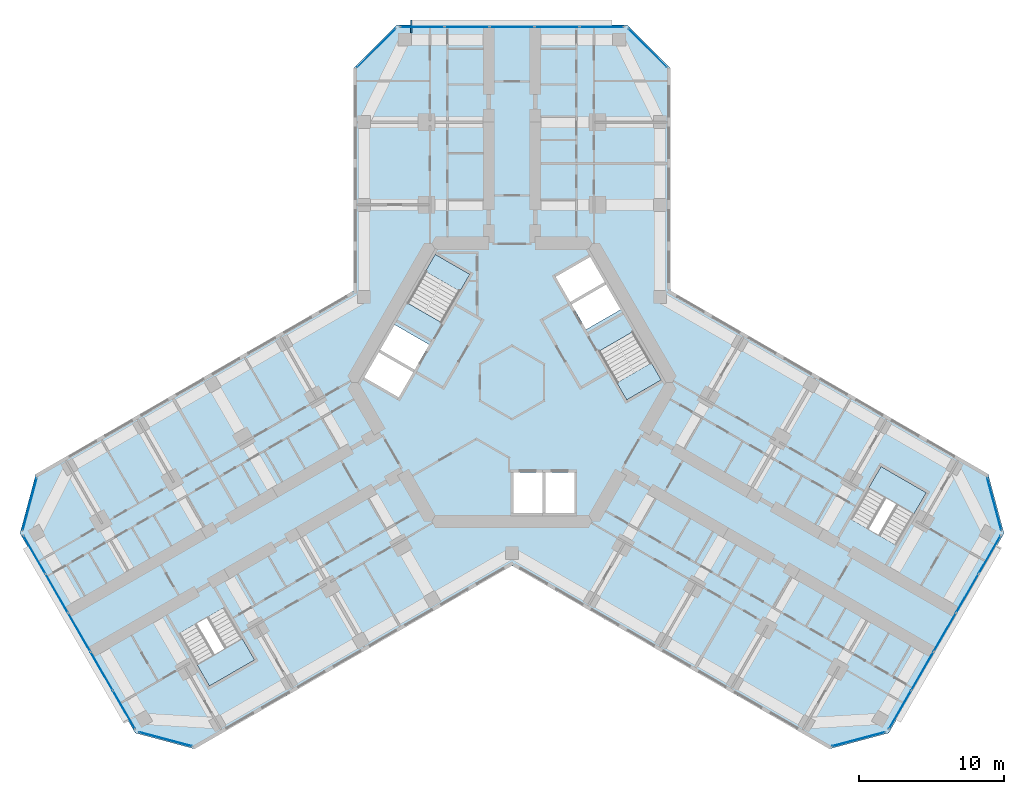
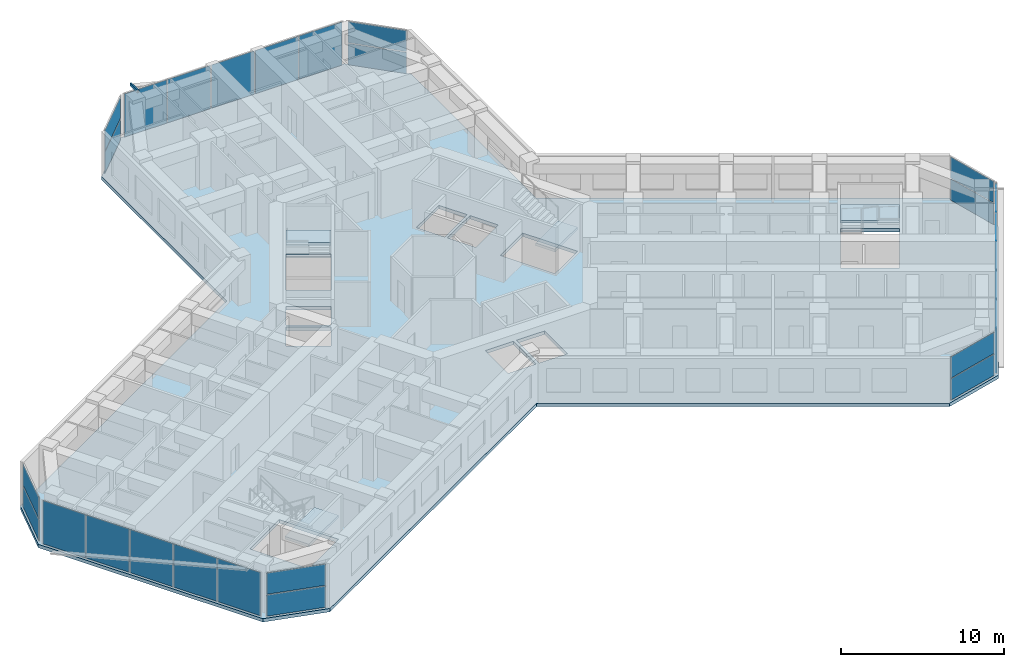
# One storey, part 9 of 20: 27 plates, 5 slabs, 1 member, 13 elements without a shape of their own.
"""IFC4 building model written with IfcOpenShell, lengths in metres."""

from ifc_helpers import new_model, si_unit, direction, frame, origin, origin_2d, place, context, subcontext, project, spatial, polyline, rectangle, hollow_rectangle, outline, extrude, material, layer, layer_set, material_profile, profile_set, type_object, element, aggregate, save


model = new_model("IFC4")

# Units and contexts
model_context = context("Model", 3, precision=1e-05, world=origin(), true_north=direction((0.0, 1.0)))
body_context = subcontext(model_context, "Body", "Model", "MODEL_VIEW")
ifc_project = project(units=[si_unit("LENGTHUNIT", "METRE"), si_unit("AREAUNIT", "SQUARE_METRE"), si_unit("VOLUMEUNIT", "CUBIC_METRE"), si_unit("PLANEANGLEUNIT", "RADIAN"), si_unit("MASSUNIT", "GRAM", prefix="KILO")], contexts=[model_context])

# Site, building, storey
site_placement = place(None, origin())
site = spatial("IfcSite", under=ifc_project, at=site_placement, CompositionType="ELEMENT")
building_placement = place(site_placement, origin())
building = spatial("IfcBuilding", under=site, at=building_placement, Name="Kosmar Iwan School Tower", CompositionType="ELEMENT")
storey_placement = place(building_placement, frame((0.0, 0.0, 131.0)))
storey = spatial("IfcBuildingStorey", under=building, at=storey_placement, Name="L32", CompositionType="ELEMENT", Elevation=131.0)

# Member
ifc_material_1 = material(Name="Steel S355", Category="steel")
ifc_material_profile = material_profile(ifc_material_1, hollow_rectangle(XDim=0.10009765625, YDim=0.199951171875, WallThickness=0.008056640625, at=origin_2d()), Name="RHS 200x100x8")
ifc_profile_set = profile_set([ifc_material_profile], Name="Steel S355")
member_type = type_object("IfcMemberType", Name="Fin bracket RHS 200x100", PredefinedType="USERDEFINED", material=ifc_profile_set)
member_placement = place(storey_placement, frame((-6.949951171875, 24.10009765625, 3.47509765625), z_axis=(0.0, 1.0, 0.0), x_axis=(-1.0, 0.0, 0.0)))
element("IfcMember", 1, at=member_placement, inside=storey, type_object=member_type, Name="Fin bracket L33", ObjectType="FIN BRACKET", PredefinedType="USERDEFINED", context=body_context, shape_type="SweptSolid", body=[
    extrude(hollow_rectangle(XDim=0.10009765625, YDim=0.199951171875, WallThickness=0.008056640625, at=origin_2d()), origin(), (0.0, 0.0, 1.0), 0.89990234375),
])

# Curtain wall, plates
ifc_material_2 = material(Name="Dark glass in black aluminium frame", Category="aluminium")
curtain_wall_type_1 = type_object("IfcCurtainWallType", Name="Chamfer curtain wall dark glass", PredefinedType="USERDEFINED", material=ifc_material_2)
curtain_wall_1_placement = place(storey_placement, origin())
curtain_wall_1 = element("IfcCurtainWall", 2, at=curtain_wall_1_placement, inside=storey, type_object=curtain_wall_type_1, Name="Curtain wall L32-F02", ObjectType="FACETED CURTAIN WALL", PredefinedType="USERDEFINED")
ifc_material_3 = material(Name="Dark glass", Category="glass")
ifc_layer_1 = layer(ifc_material_3, 0.028076171875)
ifc_layer_set_1 = layer_set([ifc_layer_1], Name="Dark glass panel 28")
plate_type = type_object("IfcPlateType", Name="Dark glass panel 28", PredefinedType="CURTAIN_PANEL", material=ifc_layer_set_1)
plate_1_placement = place(storey_placement, frame((23.908203125, -24.61328125, 0.06005859375), z_axis=(0.0, 0.0, 1.0), x_axis=(0.965925875495, 0.258818861462, 0.0)))
plate_1 = element("IfcPlate", 3, at=plate_1_placement, type_object=plate_type, Name="CW2 panel 1.1", PredefinedType="CURTAIN_PANEL", context=body_context, shape_type="SweptSolid", body=[
    extrude(rectangle(XDim=3.718994140625, YDim=0.028076171875, at=origin_2d()), origin(), (0.0, 0.0, 1.0), 1.5849609375),
])
plate_2_placement = place(storey_placement, frame((23.908203125, -24.61328125, 1.705078125), z_axis=(0.0, 0.0, 1.0), x_axis=(0.965925875495, 0.258818861462, 0.0)))
plate_2 = element("IfcPlate", 4, at=plate_2_placement, type_object=plate_type, Name="CW2 panel 1.2", PredefinedType="CURTAIN_PANEL", context=body_context, shape_type="SweptSolid", body=[
    extrude(rectangle(XDim=3.718994140625, YDim=0.028076171875, at=origin_2d()), origin(), (0.0, 0.0, 1.0), 1.5849609375),
])
aggregate(curtain_wall_1, [plate_1, plate_2])

ifc_material_4 = material(Name="Dark glass in black aluminium frame", Category="aluminium")
curtain_wall_type_2 = type_object("IfcCurtainWallType", Name="Tower curtain wall dark glass", PredefinedType="USERDEFINED", material=ifc_material_4)
curtain_wall_2_placement = place(storey_placement, origin())
curtain_wall_2 = element("IfcCurtainWall", 5, at=curtain_wall_2_placement, inside=storey, type_object=curtain_wall_type_2, Name="Curtain wall L32-F03", ObjectType="UNITISED CURTAIN WALL", PredefinedType="USERDEFINED")
plate_3_placement = place(storey_placement, frame((26.764404296875, -22.592529296875, 0.06005859375), z_axis=(0.0, 0.0, 1.0), x_axis=(0.499999997325, 0.866025405329, 0.0)))
plate_3 = element("IfcPlate", 6, at=plate_3_placement, type_object=plate_type, Name="CW1 panel 1.1", PredefinedType="CURTAIN_PANEL", context=body_context, shape_type="SweptSolid", body=[
    extrude(rectangle(XDim=3.00927734375, YDim=0.028076171875, at=origin_2d()), origin(), (0.0, 0.0, 1.0), 3.22998046875),
])
plate_4_placement = place(storey_placement, frame((28.306640625, -19.921630859375, 0.06005859375), z_axis=(0.0, 0.0, 1.0), x_axis=(0.499999997325, 0.866025405329, 0.0)))
plate_4 = element("IfcPlate", 7, at=plate_4_placement, type_object=plate_type, Name="CW1 panel 2.1", PredefinedType="CURTAIN_PANEL", context=body_context, shape_type="SweptSolid", body=[
    extrude(rectangle(XDim=3.039306640625, YDim=0.028076171875, at=origin_2d()), origin(), (0.0, 0.0, 1.0), 3.22998046875),
])
plate_5_placement = place(storey_placement, frame((29.856201171875, -17.237548828125, 0.06005859375), z_axis=(0.0, 0.0, 1.0), x_axis=(0.499999997325, 0.866025405329, 0.0)))
plate_5 = element("IfcPlate", 8, at=plate_5_placement, type_object=plate_type, Name="CW1 panel 3.1", PredefinedType="CURTAIN_PANEL", context=body_context, shape_type="SweptSolid", body=[
    extrude(rectangle(XDim=3.039306640625, YDim=0.028076171875, at=origin_2d()), origin(), (0.0, 0.0, 1.0), 3.22998046875),
])
plate_6_placement = place(storey_placement, frame((31.40576171875, -14.553466796875, 0.06005859375), z_axis=(0.0, 0.0, 1.0), x_axis=(0.499999997325, 0.866025405329, 0.0)))
plate_6 = element("IfcPlate", 9, at=plate_6_placement, type_object=plate_type, Name="CW1 panel 4.1", PredefinedType="CURTAIN_PANEL", context=body_context, shape_type="SweptSolid", body=[
    extrude(rectangle(XDim=3.039306640625, YDim=0.028076171875, at=origin_2d()), origin(), (0.0, 0.0, 1.0), 3.22998046875),
])
plate_7_placement = place(storey_placement, frame((32.947998046875, -11.88232421875, 0.06005859375), z_axis=(0.0, 0.0, 1.0), x_axis=(0.499999997325, 0.866025405329, 0.0)))
plate_7 = element("IfcPlate", 10, at=plate_7_placement, type_object=plate_type, Name="CW1 panel 5.1", PredefinedType="CURTAIN_PANEL", context=body_context, shape_type="SweptSolid", body=[
    extrude(rectangle(XDim=3.00927734375, YDim=0.028076171875, at=origin_2d()), origin(), (0.0, 0.0, 1.0), 3.22998046875),
])
aggregate(curtain_wall_2, [plate_3, plate_4, plate_5, plate_6, plate_7])

curtain_wall_3_placement = place(storey_placement, origin())
curtain_wall_3 = element("IfcCurtainWall", 11, at=curtain_wall_3_placement, inside=storey, type_object=curtain_wall_type_1, Name="Curtain wall L32-F04", ObjectType="FACETED CURTAIN WALL", PredefinedType="USERDEFINED")
plate_8_placement = place(storey_placement, frame((33.269775390625, -8.3984375, 0.06005859375), z_axis=(0.0, 0.0, 1.0), x_axis=(-0.258818861462, 0.965925875495, 0.0)))
plate_8 = element("IfcPlate", 12, at=plate_8_placement, type_object=plate_type, Name="CW2 panel 1.1", PredefinedType="CURTAIN_PANEL", context=body_context, shape_type="SweptSolid", body=[
    extrude(rectangle(XDim=3.718994140625, YDim=0.028076171875, at=origin_2d()), origin(), (0.0, 0.0, 1.0), 1.5849609375),
])
plate_9_placement = place(storey_placement, frame((33.269775390625, -8.3984375, 1.705078125), z_axis=(0.0, 0.0, 1.0), x_axis=(-0.258818861462, 0.965925875495, 0.0)))
plate_9 = element("IfcPlate", 13, at=plate_9_placement, type_object=plate_type, Name="CW2 panel 1.2", PredefinedType="CURTAIN_PANEL", context=body_context, shape_type="SweptSolid", body=[
    extrude(rectangle(XDim=3.718994140625, YDim=0.028076171875, at=origin_2d()), origin(), (0.0, 0.0, 1.0), 1.5849609375),
])
aggregate(curtain_wall_3, [plate_8, plate_9])

curtain_wall_4_placement = place(storey_placement, origin())
curtain_wall_4 = element("IfcCurtainWall", 14, at=curtain_wall_4_placement, inside=storey, type_object=curtain_wall_type_1, Name="Curtain wall L32-F07", ObjectType="FACETED CURTAIN WALL", PredefinedType="USERDEFINED")
plate_10_placement = place(storey_placement, frame((9.361572265625, 23.0615234375, 0.06005859375), z_axis=(0.0, 0.0, 1.0), x_axis=(-0.707106781187, 0.707106781187, 0.0)))
plate_10 = element("IfcPlate", 15, at=plate_10_placement, type_object=plate_type, Name="CW2 panel 1.1", PredefinedType="CURTAIN_PANEL", context=body_context, shape_type="SweptSolid", body=[
    extrude(rectangle(XDim=3.718994140625, YDim=0.028076171875, at=origin_2d()), origin(), (0.0, 0.0, 1.0), 1.5849609375),
])
plate_11_placement = place(storey_placement, frame((9.361572265625, 23.0615234375, 1.705078125), z_axis=(0.0, 0.0, 1.0), x_axis=(-0.707106781187, 0.707106781187, 0.0)))
plate_11 = element("IfcPlate", 16, at=plate_11_placement, type_object=plate_type, Name="CW2 panel 1.2", PredefinedType="CURTAIN_PANEL", context=body_context, shape_type="SweptSolid", body=[
    extrude(rectangle(XDim=3.718994140625, YDim=0.028076171875, at=origin_2d()), origin(), (0.0, 0.0, 1.0), 1.5849609375),
])
aggregate(curtain_wall_4, [plate_10, plate_11])

curtain_wall_5_placement = place(storey_placement, origin())
curtain_wall_5 = element("IfcCurtainWall", 17, at=curtain_wall_5_placement, inside=storey, type_object=curtain_wall_type_2, Name="Curtain wall L32-F08", ObjectType="UNITISED CURTAIN WALL", PredefinedType="USERDEFINED")
plate_12_placement = place(storey_placement, frame((6.18359375, 24.52490234375, 0.06005859375), z_axis=(0.0, 0.0, 1.0), x_axis=(-1.0, 0.0, 0.0)))
plate_12 = element("IfcPlate", 18, at=plate_12_placement, type_object=plate_type, Name="CW1 panel 1.1", PredefinedType="CURTAIN_PANEL", context=body_context, shape_type="SweptSolid", body=[
    extrude(rectangle(XDim=3.00927734375, YDim=0.028076171875, at=origin_2d()), origin(), (0.0, 0.0, 1.0), 3.22998046875),
])
plate_13_placement = place(storey_placement, frame((3.099365234375, 24.52490234375, 0.06005859375), z_axis=(0.0, 0.0, 1.0), x_axis=(-1.0, 0.0, 0.0)))
plate_13 = element("IfcPlate", 19, at=plate_13_placement, type_object=plate_type, Name="CW1 panel 2.1", PredefinedType="CURTAIN_PANEL", context=body_context, shape_type="SweptSolid", body=[
    extrude(rectangle(XDim=3.039306640625, YDim=0.028076171875, at=origin_2d()), origin(), (0.0, 0.0, 1.0), 3.22998046875),
])
plate_14_placement = place(storey_placement, frame((0.0, 24.52490234375, 0.06005859375), z_axis=(0.0, 0.0, 1.0), x_axis=(-1.0, 0.0, 0.0)))
plate_14 = element("IfcPlate", 20, at=plate_14_placement, type_object=plate_type, Name="CW1 panel 3.1", PredefinedType="CURTAIN_PANEL", context=body_context, shape_type="SweptSolid", body=[
    extrude(rectangle(XDim=3.039306640625, YDim=0.028076171875, at=origin_2d()), origin(), (0.0, 0.0, 1.0), 3.22998046875),
])
plate_15_placement = place(storey_placement, frame((-3.099365234375, 24.52490234375, 0.06005859375), z_axis=(0.0, 0.0, 1.0), x_axis=(-1.0, 0.0, 0.0)))
plate_15 = element("IfcPlate", 21, at=plate_15_placement, type_object=plate_type, Name="CW1 panel 4.1", PredefinedType="CURTAIN_PANEL", context=body_context, shape_type="SweptSolid", body=[
    extrude(rectangle(XDim=3.039306640625, YDim=0.028076171875, at=origin_2d()), origin(), (0.0, 0.0, 1.0), 3.22998046875),
])
plate_16_placement = place(storey_placement, frame((-6.18359375, 24.52490234375, 0.06005859375), z_axis=(0.0, 0.0, 1.0), x_axis=(-1.0, 0.0, 0.0)))
plate_16 = element("IfcPlate", 22, at=plate_16_placement, type_object=plate_type, Name="CW1 panel 5.1", PredefinedType="CURTAIN_PANEL", context=body_context, shape_type="SweptSolid", body=[
    extrude(rectangle(XDim=3.00927734375, YDim=0.028076171875, at=origin_2d()), origin(), (0.0, 0.0, 1.0), 3.22998046875),
])
aggregate(curtain_wall_5, [plate_12, plate_13, plate_14, plate_15, plate_16])

curtain_wall_6_placement = place(storey_placement, origin())
curtain_wall_6 = element("IfcCurtainWall", 23, at=curtain_wall_6_placement, inside=storey, type_object=curtain_wall_type_1, Name="Curtain wall L32-F09", ObjectType="FACETED CURTAIN WALL", PredefinedType="USERDEFINED")
plate_17_placement = place(storey_placement, frame((-9.361572265625, 23.0615234375, 0.06005859375), z_axis=(0.0, 0.0, 1.0), x_axis=(-0.707106781187, -0.707106781187, 0.0)))
plate_17 = element("IfcPlate", 24, at=plate_17_placement, type_object=plate_type, Name="CW2 panel 1.1", PredefinedType="CURTAIN_PANEL", context=body_context, shape_type="SweptSolid", body=[
    extrude(rectangle(XDim=3.718994140625, YDim=0.028076171875, at=origin_2d()), origin(), (0.0, 0.0, 1.0), 1.5849609375),
])
plate_18_placement = place(storey_placement, frame((-9.361572265625, 23.0615234375, 1.705078125), z_axis=(0.0, 0.0, 1.0), x_axis=(-0.707106781187, -0.707106781187, 0.0)))
plate_18 = element("IfcPlate", 25, at=plate_18_placement, type_object=plate_type, Name="CW2 panel 1.2", PredefinedType="CURTAIN_PANEL", context=body_context, shape_type="SweptSolid", body=[
    extrude(rectangle(XDim=3.718994140625, YDim=0.028076171875, at=origin_2d()), origin(), (0.0, 0.0, 1.0), 1.5849609375),
])
aggregate(curtain_wall_6, [plate_17, plate_18])

curtain_wall_7_placement = place(storey_placement, origin())
curtain_wall_7 = element("IfcCurtainWall", 26, at=curtain_wall_7_placement, inside=storey, type_object=curtain_wall_type_1, Name="Curtain wall L32-F12", ObjectType="FACETED CURTAIN WALL", PredefinedType="USERDEFINED")
plate_19_placement = place(storey_placement, frame((-33.269775390625, -8.3984375, 0.06005859375), z_axis=(0.0, 0.0, 1.0), x_axis=(-0.258818861462, -0.965925875495, 0.0)))
plate_19 = element("IfcPlate", 27, at=plate_19_placement, type_object=plate_type, Name="CW2 panel 1.1", PredefinedType="CURTAIN_PANEL", context=body_context, shape_type="SweptSolid", body=[
    extrude(rectangle(XDim=3.718994140625, YDim=0.028076171875, at=origin_2d()), origin(), (0.0, 0.0, 1.0), 1.5849609375),
])
plate_20_placement = place(storey_placement, frame((-33.269775390625, -8.3984375, 1.705078125), z_axis=(0.0, 0.0, 1.0), x_axis=(-0.258818861462, -0.965925875495, 0.0)))
plate_20 = element("IfcPlate", 28, at=plate_20_placement, type_object=plate_type, Name="CW2 panel 1.2", PredefinedType="CURTAIN_PANEL", context=body_context, shape_type="SweptSolid", body=[
    extrude(rectangle(XDim=3.718994140625, YDim=0.028076171875, at=origin_2d()), origin(), (0.0, 0.0, 1.0), 1.5849609375),
])
aggregate(curtain_wall_7, [plate_19, plate_20])

curtain_wall_8_placement = place(storey_placement, origin())
curtain_wall_8 = element("IfcCurtainWall", 29, at=curtain_wall_8_placement, inside=storey, type_object=curtain_wall_type_2, Name="Curtain wall L32-F13", ObjectType="UNITISED CURTAIN WALL", PredefinedType="USERDEFINED")
plate_21_placement = place(storey_placement, frame((-32.947998046875, -11.88232421875, 0.06005859375), z_axis=(0.0, 0.0, 1.0), x_axis=(0.499999997325, -0.866025405329, 0.0)))
plate_21 = element("IfcPlate", 30, at=plate_21_placement, type_object=plate_type, Name="CW1 panel 1.1", PredefinedType="CURTAIN_PANEL", context=body_context, shape_type="SweptSolid", body=[
    extrude(rectangle(XDim=3.00927734375, YDim=0.028076171875, at=origin_2d()), origin(), (0.0, 0.0, 1.0), 3.22998046875),
])
plate_22_placement = place(storey_placement, frame((-31.40576171875, -14.553466796875, 0.06005859375), z_axis=(0.0, 0.0, 1.0), x_axis=(0.499999997325, -0.866025405329, 0.0)))
plate_22 = element("IfcPlate", 31, at=plate_22_placement, type_object=plate_type, Name="CW1 panel 2.1", PredefinedType="CURTAIN_PANEL", context=body_context, shape_type="SweptSolid", body=[
    extrude(rectangle(XDim=3.039306640625, YDim=0.028076171875, at=origin_2d()), origin(), (0.0, 0.0, 1.0), 3.22998046875),
])
plate_23_placement = place(storey_placement, frame((-29.856201171875, -17.237548828125, 0.06005859375), z_axis=(0.0, 0.0, 1.0), x_axis=(0.499999997325, -0.866025405329, 0.0)))
plate_23 = element("IfcPlate", 32, at=plate_23_placement, type_object=plate_type, Name="CW1 panel 3.1", PredefinedType="CURTAIN_PANEL", context=body_context, shape_type="SweptSolid", body=[
    extrude(rectangle(XDim=3.039306640625, YDim=0.028076171875, at=origin_2d()), origin(), (0.0, 0.0, 1.0), 3.22998046875),
])
plate_24_placement = place(storey_placement, frame((-28.306640625, -19.921630859375, 0.06005859375), z_axis=(0.0, 0.0, 1.0), x_axis=(0.499999997325, -0.866025405329, 0.0)))
plate_24 = element("IfcPlate", 33, at=plate_24_placement, type_object=plate_type, Name="CW1 panel 4.1", PredefinedType="CURTAIN_PANEL", context=body_context, shape_type="SweptSolid", body=[
    extrude(rectangle(XDim=3.039306640625, YDim=0.028076171875, at=origin_2d()), origin(), (0.0, 0.0, 1.0), 3.22998046875),
])
plate_25_placement = place(storey_placement, frame((-26.764404296875, -22.592529296875, 0.06005859375), z_axis=(0.0, 0.0, 1.0), x_axis=(0.499999997325, -0.866025405329, 0.0)))
plate_25 = element("IfcPlate", 34, at=plate_25_placement, type_object=plate_type, Name="CW1 panel 5.1", PredefinedType="CURTAIN_PANEL", context=body_context, shape_type="SweptSolid", body=[
    extrude(rectangle(XDim=3.00927734375, YDim=0.028076171875, at=origin_2d()), origin(), (0.0, 0.0, 1.0), 3.22998046875),
])
aggregate(curtain_wall_8, [plate_21, plate_22, plate_23, plate_24, plate_25])

curtain_wall_9_placement = place(storey_placement, origin())
curtain_wall_9 = element("IfcCurtainWall", 35, at=curtain_wall_9_placement, inside=storey, type_object=curtain_wall_type_1, Name="Curtain wall L32-F14", ObjectType="FACETED CURTAIN WALL", PredefinedType="USERDEFINED")
plate_26_placement = place(storey_placement, frame((-23.908203125, -24.61328125, 0.06005859375), z_axis=(0.0, 0.0, 1.0), x_axis=(0.965925875495, -0.258818861462, 0.0)))
plate_26 = element("IfcPlate", 36, at=plate_26_placement, type_object=plate_type, Name="CW2 panel 1.1", PredefinedType="CURTAIN_PANEL", context=body_context, shape_type="SweptSolid", body=[
    extrude(rectangle(XDim=3.718994140625, YDim=0.028076171875, at=origin_2d()), origin(), (0.0, 0.0, 1.0), 1.5849609375),
])
plate_27_placement = place(storey_placement, frame((-23.908203125, -24.61328125, 1.705078125), z_axis=(0.0, 0.0, 1.0), x_axis=(0.965925875495, -0.258818861462, 0.0)))
plate_27 = element("IfcPlate", 37, at=plate_27_placement, type_object=plate_type, Name="CW2 panel 1.2", PredefinedType="CURTAIN_PANEL", context=body_context, shape_type="SweptSolid", body=[
    extrude(rectangle(XDim=3.718994140625, YDim=0.028076171875, at=origin_2d()), origin(), (0.0, 0.0, 1.0), 1.5849609375),
])
aggregate(curtain_wall_9, [plate_26, plate_27])

# Stair, slab
ifc_material_5 = material(Name="Concrete C35/45", Category="concrete")
stair_type_1 = type_object("IfcStairType", Name="Escape stair 3600", PredefinedType="HALF_TURN_STAIR", material=ifc_material_5)
stair_1_placement = place(storey_placement, origin())
stair_1 = element("IfcStair", 38, at=stair_1_placement, inside=storey, type_object=stair_type_1, Name="Stair WS2 L32", PredefinedType="HALF_TURN_STAIR")
ifc_material_6 = material(Name="Concrete C35/45", Category="concrete")
ifc_layer_2 = layer(ifc_material_6, 0.199951171875)
ifc_layer_set_2 = layer_set([ifc_layer_2], Name="Escape stair landing 200")
slab_type_1 = type_object("IfcSlabType", Name="Escape stair landing 200", PredefinedType="LANDING", material=ifc_layer_set_2)
slab_1_placement = place(storey_placement, frame((0.0, 0.0, 1.60009765625)))
slab_1 = element("IfcSlab", 39, at=slab_1_placement, type_object=slab_type_1, Name="WS2 landing 1", PredefinedType="LANDING", context=body_context, shape_type="SweptSolid", body=[
    extrude(outline(polyline([(-18.607421875, -17.671142578125), (-21.72509765625, -19.47119140625), (-20.875, -20.943359375), (-17.75732421875, -19.143310546875), (-18.607421875, -17.671142578125)])), origin(), (0.0, 0.0, 1.0), 0.199951171875),
])
aggregate(stair_1, [slab_1])

stair_2_placement = place(storey_placement, origin())
stair_2 = element("IfcStair", 40, at=stair_2_placement, inside=storey, type_object=stair_type_1, Name="Stair WS3 L32", PredefinedType="HALF_TURN_STAIR")
slab_2_placement = place(storey_placement, frame((0.0, 0.0, 1.60009765625)))
slab_2 = element("IfcSlab", 41, at=slab_2_placement, type_object=slab_type_1, Name="WS3 landing 1", PredefinedType="LANDING", context=body_context, shape_type="SweptSolid", body=[
    extrude(outline(polyline([(24.607421875, -7.27880859375), (27.72509765625, -9.078857421875), (28.574951171875, -7.606689453125), (25.457275390625, -5.806640625), (24.607421875, -7.27880859375)])), origin(), (0.0, 0.0, 1.0), 0.199951171875),
])
aggregate(stair_2, [slab_2])

# Slab
ifc_material_7 = material(Name="Concrete C35/45", Category="concrete")
ifc_layer_3 = layer(ifc_material_7, 0.25)
ifc_layer_set_3 = layer_set([ifc_layer_3], Name="Floor slab 250")
slab_type_2 = type_object("IfcSlabType", Name="Floor slab 250", PredefinedType="FLOOR", material=ifc_layer_set_3)
slab_3_placement = place(storey_placement, frame((0.0, 0.0, -0.25)))
element("IfcSlab", 42, at=slab_3_placement, inside=storey, type_object=slab_type_2, Name="L32 floor slab", PredefinedType="FLOOR", context=body_context, shape_type="SweptSolid", body=[
    extrude(outline(polyline([(-21.891357421875, -25.282958984375), (0.0, -12.64404296875), (21.891357421875, -25.282958984375), (25.989501953125, -24.184814453125), (33.939453125, -10.4150390625), (32.84130859375, -6.317138671875), (10.949951171875, 6.322021484375), (10.949951171875, 21.64990234375), (7.949951171875, 24.64990234375), (-7.949951171875, 24.64990234375), (-10.949951171875, 21.64990234375), (-10.949951171875, 6.322021484375), (-32.84130859375, -6.317138671875), (-33.939453125, -10.4150390625), (-25.989501953125, -24.184814453125), (-21.891357421875, -25.282958984375)]), holes=[polyline([(7.91259765625, -1.205078125), (10.294189453125, 0.169921875), (8.3642578125, 3.5126953125), (5.982666015625, 2.1376953125), (7.91259765625, -1.205078125)]), polyline([(-2.91259765625, 7.455078125), (-5.294189453125, 8.830078125), (-7.22412109375, 5.4873046875), (-4.8427734375, 4.1123046875), (-2.91259765625, 7.455078125)]), polyline([(-5.712646484375, 2.60546875), (-8.09423828125, 3.98046875), (-9.09423828125, 2.248291015625), (-6.712646484375, 0.873291015625), (-5.712646484375, 2.60546875)]), polyline([(-6.812744140625, 0.7001953125), (-9.1943359375, 2.0751953125), (-10.1943359375, 0.343017578125), (-7.812744140625, -1.031982421875), (-6.812744140625, 0.7001953125)]), polyline([(5.112548828125, 3.64453125), (7.494140625, 5.01953125), (6.494140625, 6.751708984375), (4.112548828125, 5.376708984375), (5.112548828125, 3.64453125)]), polyline([(4.0126953125, 5.5498046875), (6.394287109375, 6.9248046875), (5.394287109375, 8.656982421875), (3.0126953125, 7.281982421875), (4.0126953125, 5.5498046875)]), polyline([(0.10009765625, -6.199951171875), (0.10009765625, -9.0), (2.10009765625, -9.0), (2.10009765625, -6.199951171875), (0.10009765625, -6.199951171875)]), polyline([(2.300048828125, -6.199951171875), (2.300048828125, -9.0), (4.300048828125, -9.0), (4.300048828125, -6.199951171875), (2.300048828125, -6.199951171875)]), polyline([(-19.847412109375, -15.5234375), (-22.965087890625, -17.323486328125), (-20.875, -20.943359375), (-17.75732421875, -19.143310546875), (-19.847412109375, -15.5234375)]), polyline([(23.367431640625, -9.426513671875), (26.485107421875, -11.2265625), (28.574951171875, -7.606689453125), (25.457275390625, -5.806640625), (23.367431640625, -9.426513671875)])]), origin(), (0.0, 0.0, 1.0), 0.25),
])

# Stair, slab
ifc_material_8 = material(Name="Concrete C35/45", Category="concrete")
stair_type_2 = type_object("IfcStairType", Name="Core stair 2750", PredefinedType="HALF_TURN_STAIR", material=ifc_material_8)
stair_3_placement = place(storey_placement, origin())
stair_3 = element("IfcStair", 43, at=stair_3_placement, inside=storey, type_object=stair_type_2, Name="Stair ST2 L32", PredefinedType="HALF_TURN_STAIR")
ifc_material_9 = material(Name="Concrete C35/45", Category="concrete")
ifc_layer_4 = layer(ifc_material_9, 0.199951171875)
ifc_layer_set_4 = layer_set([ifc_layer_4], Name="Stair landing 200")
slab_type_3 = type_object("IfcSlabType", Name="Stair landing 200", PredefinedType="LANDING", material=ifc_layer_set_4)
slab_4_placement = place(storey_placement, frame((0.0, 0.0, 1.60009765625)))
slab_4 = element("IfcSlab", 44, at=slab_4_placement, type_object=slab_type_3, Name="ST2 landing 1", PredefinedType="LANDING", context=body_context, shape_type="SweptSolid", body=[
    extrude(outline(polyline([(-2.91259765625, 7.455078125), (-5.294189453125, 8.830078125), (-5.97412109375, 7.65234375), (-3.5927734375, 6.27734375), (-2.91259765625, 7.455078125)])), origin(), (0.0, 0.0, 1.0), 0.199951171875),
])
aggregate(stair_3, [slab_4])

stair_4_placement = place(storey_placement, origin())
stair_4 = element("IfcStair", 45, at=stair_4_placement, inside=storey, type_object=stair_type_2, Name="Stair ST1 L32", PredefinedType="HALF_TURN_STAIR")
slab_5_placement = place(storey_placement, frame((0.0, 0.0, 1.60009765625)))
slab_5 = element("IfcSlab", 46, at=slab_5_placement, type_object=slab_type_3, Name="ST1 landing 1", PredefinedType="LANDING", context=body_context, shape_type="SweptSolid", body=[
    extrude(outline(polyline([(7.91259765625, -1.205078125), (10.294189453125, 0.169921875), (9.6142578125, 1.34765625), (7.232666015625, -0.02734375), (7.91259765625, -1.205078125)])), origin(), (0.0, 0.0, 1.0), 0.199951171875),
])
aggregate(stair_4, [slab_5])

save(model, "model.ifc")
